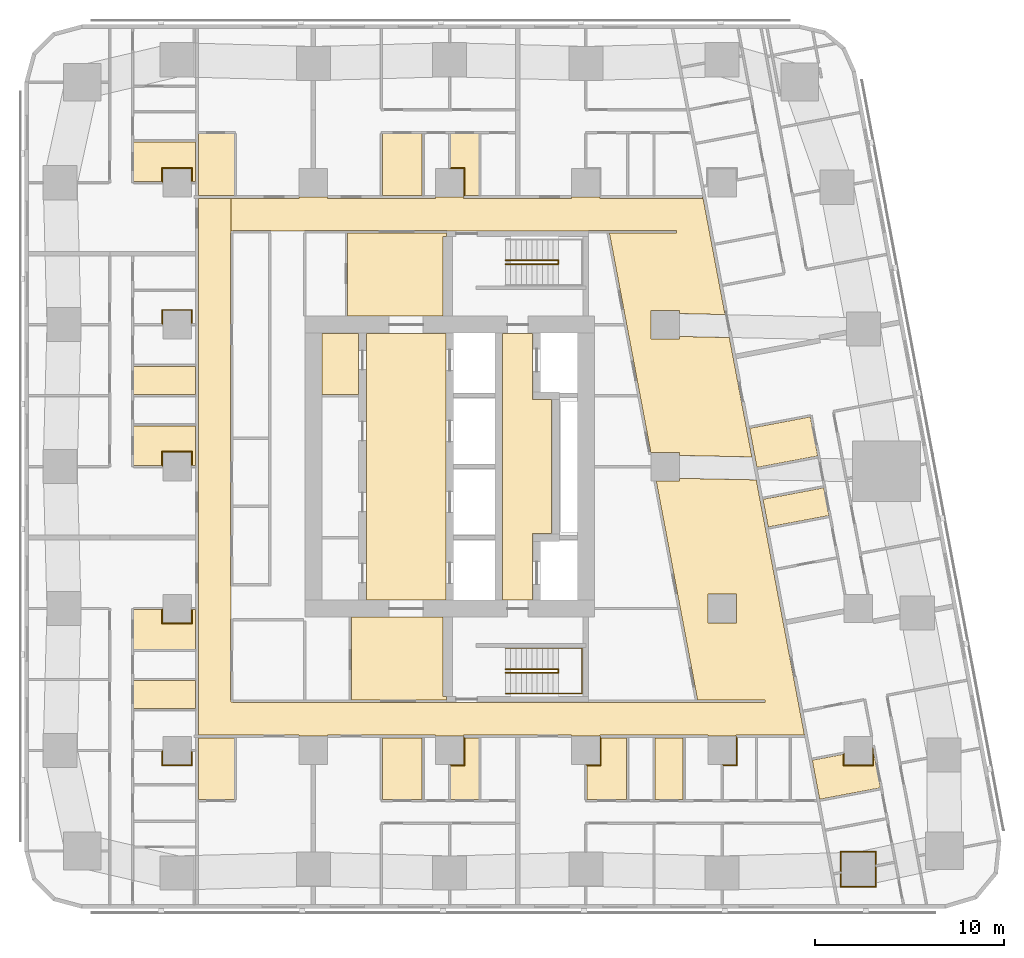
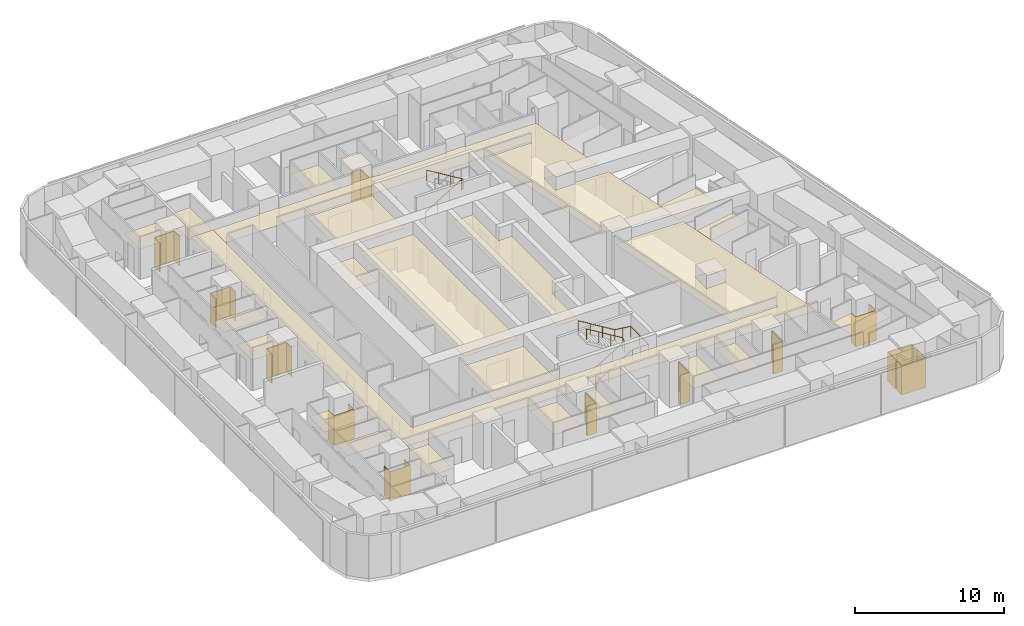
# One storey, part 14 of 15: 35 coverings, 3 railings.
"""IFC4 building model written with IfcOpenShell, lengths in metres."""

from ifc_helpers import new_model, si_unit, direction, frame, origin, origin_2d, place, context, subcontext, project, spatial, polyline, circle, outline, extrude, material, layer, layer_set, type_object, element, save


model = new_model("IFC4")

# Units and contexts
model_context = context("Model", 3, precision=1e-05, world=origin(), true_north=direction((0.0, 1.0)))
body_context = subcontext(model_context, "Body", "Model", "MODEL_VIEW")
ifc_project = project(units=[si_unit("LENGTHUNIT", "METRE"), si_unit("AREAUNIT", "SQUARE_METRE"), si_unit("VOLUMEUNIT", "CUBIC_METRE"), si_unit("PLANEANGLEUNIT", "RADIAN"), si_unit("MASSUNIT", "GRAM", prefix="KILO")], contexts=[model_context])

# Site, building, storey
site_placement = place(None, origin())
site = spatial("IfcSite", under=ifc_project, at=site_placement, CompositionType="ELEMENT")
building_placement = place(site_placement, origin())
building = spatial("IfcBuilding", under=site, at=building_placement, Name="Sheger Commons Tower", CompositionType="ELEMENT")
storey_placement = place(building_placement, frame((0.0, 0.0, 147.050048828125)))
storey = spatial("IfcBuildingStorey", under=building, at=storey_placement, Name="L37", CompositionType="ELEMENT", Elevation=147.050048828125)

# Railings
ifc_material_1 = material(Name="Steel handrail, black powder-coated", Category="steel")
railing_type = type_object("IfcRailingType", Name="HANDRAIL 900", PredefinedType="HANDRAIL", material=ifc_material_1)
railing_1_placement = place(storey_placement, frame((24.550048828125, 11.60009765625, 0.17041015625)))
element("IfcRailing", 1, at=railing_1_placement, inside=storey, type_object=railing_type, Name="Stair S1 handrail L37", PredefinedType="HANDRAIL", context=body_context, shape_type="SweptSolid", body=[
    extrude(circle(Radius=0.02392578125, at=origin_2d()), frame((0.0, 0.0, 0.8759765625), z_axis=(0.854169791009, 0.0, 0.51999420009), x_axis=(0.0, 1.0, 0.0)), (0.0, 0.0, 1.0), 3.278076171875),
    extrude(circle(Radius=0.02392578125, at=origin_2d()), frame((2.800048828125, 0.0, 2.58056640625), z_axis=(0.0, 0.761090297175, 0.648645943136), x_axis=(-1.0, 0.0, 0.0)), (0.0, 0.0, 1.0), 0.2626953125),
    extrude(circle(Radius=0.02392578125, at=origin_2d()), frame((2.800048828125, 0.199951171875, 2.7509765625), z_axis=(-0.854169791009, 0.0, 0.51999420009), x_axis=(0.0, -1.0, 0.0)), (0.0, 0.0, 1.0), 3.278076171875),
    extrude(circle(Radius=0.02099609375, at=origin_2d()), origin(), (0.0, 0.0, 1.0), 0.851806640625),
    extrude(circle(Radius=0.02099609375, at=origin_2d()), frame((0.933349609375, 0.0, 0.568115234375)), (0.0, 0.0, 1.0), 0.851806640625),
    extrude(circle(Radius=0.02099609375, at=origin_2d()), frame((1.86669921875, 0.0, 1.136474609375)), (0.0, 0.0, 1.0), 0.851806640625),
    extrude(circle(Radius=0.02099609375, at=origin_2d()), frame((2.800048828125, 0.0, 1.70458984375)), (0.0, 0.0, 1.0), 0.851806640625),
    extrude(circle(Radius=0.02099609375, at=origin_2d()), frame((2.800048828125, 0.199951171875, 1.875)), (0.0, 0.0, 1.0), 0.851806640625),
    extrude(circle(Radius=0.02099609375, at=origin_2d()), frame((1.86669921875, 0.199951171875, 2.443115234375)), (0.0, 0.0, 1.0), 0.851806640625),
    extrude(circle(Radius=0.02099609375, at=origin_2d()), frame((0.933349609375, 0.199951171875, 3.011474609375)), (0.0, 0.0, 1.0), 0.851806640625),
    extrude(circle(Radius=0.02099609375, at=origin_2d()), frame((0.0, 0.199951171875, 3.57958984375)), (0.0, 0.0, 1.0), 0.851806640625),
])
railing_2_placement = place(storey_placement, frame((24.550048828125, 10.5, 0.17041015625)))
element("IfcRailing", 2, at=railing_2_placement, inside=storey, type_object=railing_type, Name="Stair S1 handrail L37", PredefinedType="HANDRAIL", context=body_context, shape_type="SweptSolid", body=[
    extrude(circle(Radius=0.02392578125, at=origin_2d()), frame((0.0, 0.0, 0.8759765625), z_axis=(0.854169791009, 0.0, 0.51999420009), x_axis=(0.0, 1.0, 0.0)), (0.0, 0.0, 1.0), 3.278076171875),
    extrude(circle(Radius=0.02392578125, at=origin_2d()), frame((2.800048828125, 0.0, 2.58056640625), z_axis=(1.0, 0.0, 0.0), x_axis=(0.0, 1.0, 0.0)), (0.0, 0.0, 1.0), 1.25),
    extrude(circle(Radius=0.02392578125, at=origin_2d()), frame((4.050048828125, 0.0, 2.58056640625), z_axis=(0.0, 1.0, 0.0), x_axis=(-1.0, 0.0, 0.0)), (0.0, 0.0, 1.0), 2.39990234375),
    extrude(circle(Radius=0.02392578125, at=origin_2d()), frame((4.050048828125, 2.39990234375, 2.58056640625), z_axis=(-0.990834877927, 0.0, 0.135078661092), x_axis=(0.0, -1.0, 0.0)), (0.0, 0.0, 1.0), 1.261474609375),
    extrude(circle(Radius=0.02392578125, at=origin_2d()), frame((2.800048828125, 2.39990234375, 2.7509765625), z_axis=(-0.854169791009, 0.0, 0.51999420009), x_axis=(0.0, -1.0, 0.0)), (0.0, 0.0, 1.0), 3.278076171875),
    extrude(circle(Radius=0.02099609375, at=origin_2d()), origin(), (0.0, 0.0, 1.0), 0.851806640625),
    extrude(circle(Radius=0.02099609375, at=origin_2d()), frame((0.933349609375, 0.0, 0.568115234375)), (0.0, 0.0, 1.0), 0.851806640625),
    extrude(circle(Radius=0.02099609375, at=origin_2d()), frame((1.86669921875, 0.0, 1.136474609375)), (0.0, 0.0, 1.0), 0.851806640625),
    extrude(circle(Radius=0.02099609375, at=origin_2d()), frame((2.800048828125, 0.0, 1.70458984375)), (0.0, 0.0, 1.0), 0.851806640625),
    extrude(circle(Radius=0.02099609375, at=origin_2d()), frame((3.425048828125, 0.0, 1.70458984375)), (0.0, 0.0, 1.0), 0.851806640625),
    extrude(circle(Radius=0.02099609375, at=origin_2d()), frame((4.050048828125, 0.0, 1.70458984375)), (0.0, 0.0, 1.0), 0.851806640625),
    extrude(circle(Radius=0.02099609375, at=origin_2d()), frame((4.050048828125, 1.199951171875, 1.70458984375)), (0.0, 0.0, 1.0), 0.851806640625),
    extrude(circle(Radius=0.02099609375, at=origin_2d()), frame((4.050048828125, 2.39990234375, 1.70458984375)), (0.0, 0.0, 1.0), 0.851806640625),
    extrude(circle(Radius=0.02099609375, at=origin_2d()), frame((3.425048828125, 2.39990234375, 1.789794921875)), (0.0, 0.0, 1.0), 0.851806640625),
    extrude(circle(Radius=0.02099609375, at=origin_2d()), frame((2.800048828125, 2.39990234375, 1.875)), (0.0, 0.0, 1.0), 0.851806640625),
    extrude(circle(Radius=0.02099609375, at=origin_2d()), frame((1.86669921875, 2.39990234375, 2.443115234375)), (0.0, 0.0, 1.0), 0.851806640625),
    extrude(circle(Radius=0.02099609375, at=origin_2d()), frame((0.933349609375, 2.39990234375, 3.011474609375)), (0.0, 0.0, 1.0), 0.851806640625),
    extrude(circle(Radius=0.02099609375, at=origin_2d()), frame((0.0, 2.39990234375, 3.57958984375)), (0.0, 0.0, 1.0), 0.851806640625),
])
railing_3_placement = place(storey_placement, frame((24.550048828125, 33.39990234375, 0.17041015625)))
element("IfcRailing", 3, at=railing_3_placement, inside=storey, type_object=railing_type, Name="Stair S2 handrail L37", PredefinedType="HANDRAIL", context=body_context, shape_type="SweptSolid", body=[
    extrude(circle(Radius=0.02392578125, at=origin_2d()), frame((0.0, 0.0, 0.8759765625), z_axis=(0.854169791009, 0.0, 0.51999420009), x_axis=(0.0, 1.0, 0.0)), (0.0, 0.0, 1.0), 3.278076171875),
    extrude(circle(Radius=0.02392578125, at=origin_2d()), frame((2.800048828125, 0.0, 2.58056640625), z_axis=(0.0, -0.761090297175, 0.648645943136), x_axis=(1.0, 0.0, 0.0)), (0.0, 0.0, 1.0), 0.2626953125),
    extrude(circle(Radius=0.02392578125, at=origin_2d()), frame((2.800048828125, -0.199951171875, 2.7509765625), z_axis=(-0.854169791009, 0.0, 0.51999420009), x_axis=(0.0, -1.0, 0.0)), (0.0, 0.0, 1.0), 3.278076171875),
    extrude(circle(Radius=0.02099609375, at=origin_2d()), origin(), (0.0, 0.0, 1.0), 0.851806640625),
    extrude(circle(Radius=0.02099609375, at=origin_2d()), frame((0.933349609375, 0.0, 0.568115234375)), (0.0, 0.0, 1.0), 0.851806640625),
    extrude(circle(Radius=0.02099609375, at=origin_2d()), frame((1.86669921875, 0.0, 1.136474609375)), (0.0, 0.0, 1.0), 0.851806640625),
    extrude(circle(Radius=0.02099609375, at=origin_2d()), frame((2.800048828125, 0.0, 1.70458984375)), (0.0, 0.0, 1.0), 0.851806640625),
    extrude(circle(Radius=0.02099609375, at=origin_2d()), frame((2.800048828125, -0.199951171875, 1.875)), (0.0, 0.0, 1.0), 0.851806640625),
    extrude(circle(Radius=0.02099609375, at=origin_2d()), frame((1.86669921875, -0.199951171875, 2.443115234375)), (0.0, 0.0, 1.0), 0.851806640625),
    extrude(circle(Radius=0.02099609375, at=origin_2d()), frame((0.933349609375, -0.199951171875, 3.011474609375)), (0.0, 0.0, 1.0), 0.851806640625),
    extrude(circle(Radius=0.02099609375, at=origin_2d()), frame((0.0, -0.199951171875, 3.57958984375)), (0.0, 0.0, 1.0), 0.851806640625),
])

# Coverings
ifc_material_2 = material(Name="Moisture-resistant gypsum plasterboard 15 mm on a suspended galvanised steel grid", Category="steel")
ifc_layer_1 = layer(ifc_material_2, 0.014892578125)
ifc_layer_set_1 = layer_set([ifc_layer_1], Name="MOISTURE-RESISTANT CEILING 15")
covering_type_1 = type_object("IfcCoveringType", Name="MOISTURE-RESISTANT CEILING 15", PredefinedType="CEILING", material=ifc_layer_set_1)
covering_1_placement = place(storey_placement, frame((0.0, 0.0, 2.39990234375)))
element("IfcCovering", 4, at=covering_1_placement, inside=storey, type_object=covering_type_1, Name="L37-01.B1 ceiling", PredefinedType="CEILING", context=body_context, shape_type="SweptSolid", body=[
    extrude(outline(polyline([(4.905029296875, 12.844970703125), (8.169921875, 12.844970703125), (8.169921875, 14.945068359375), (7.955078125, 14.945068359375), (7.955078125, 14.2451171875), (6.445068359375, 14.2451171875), (6.445068359375, 14.945068359375), (4.905029296875, 14.945068359375), (4.905029296875, 12.844970703125)])), origin(), (0.0, 0.0, 1.0), 0.01513671875),
])
covering_2_placement = place(storey_placement, frame((0.0, 0.0, 2.39990234375)))
element("IfcCovering", 5, at=covering_2_placement, inside=storey, type_object=covering_type_1, Name="L37-01.B2 ceiling", PredefinedType="CEILING", context=body_context, shape_type="SweptSolid", body=[
    extrude(outline(polyline([(4.905029296875, 9.705078125), (8.169921875, 9.705078125), (8.169921875, 11.195068359375), (4.905029296875, 11.195068359375), (4.905029296875, 9.705078125)])), origin(), (0.0, 0.0, 1.0), 0.01513671875),
])
covering_3_placement = place(storey_placement, frame((0.0, 0.0, 2.39990234375)))
element("IfcCovering", 6, at=covering_3_placement, inside=storey, type_object=covering_type_1, Name="L37-02.B1 ceiling", PredefinedType="CEILING", context=body_context, shape_type="SweptSolid", body=[
    extrude(outline(polyline([(4.905029296875, 22.554931640625), (6.445068359375, 22.554931640625), (6.445068359375, 23.2548828125), (7.955078125, 23.2548828125), (7.955078125, 22.554931640625), (8.169921875, 22.554931640625), (8.169921875, 24.655029296875), (4.905029296875, 24.655029296875), (4.905029296875, 22.554931640625)])), origin(), (0.0, 0.0, 1.0), 0.01513671875),
])
covering_4_placement = place(storey_placement, frame((0.0, 0.0, 2.39990234375)))
element("IfcCovering", 7, at=covering_4_placement, inside=storey, type_object=covering_type_1, Name="L37-02.B2 ceiling", PredefinedType="CEILING", context=body_context, shape_type="SweptSolid", body=[
    extrude(outline(polyline([(4.905029296875, 26.304931640625), (8.169921875, 26.304931640625), (8.169921875, 27.794921875), (4.905029296875, 27.794921875), (4.905029296875, 26.304931640625)])), origin(), (0.0, 0.0, 1.0), 0.01513671875),
])
covering_5_placement = place(storey_placement, frame((0.0, 0.0, 2.39990234375)))
element("IfcCovering", 8, at=covering_5_placement, inside=storey, type_object=covering_type_1, Name="L37-03.B1 ceiling", PredefinedType="CEILING", context=body_context, shape_type="SweptSolid", body=[
    extrude(outline(polyline([(4.905029296875, 37.554931640625), (6.445068359375, 37.554931640625), (6.445068359375, 38.2548828125), (7.955078125, 38.2548828125), (7.955078125, 37.554931640625), (8.169921875, 37.554931640625), (8.169921875, 39.655029296875), (4.905029296875, 39.655029296875), (4.905029296875, 37.554931640625)])), origin(), (0.0, 0.0, 1.0), 0.01513671875),
])
covering_6_placement = place(storey_placement, frame((0.0, 0.0, 2.39990234375)))
element("IfcCovering", 9, at=covering_6_placement, inside=storey, type_object=covering_type_1, Name="L37-04.B1 ceiling", PredefinedType="CEILING", context=body_context, shape_type="SweptSolid", body=[
    extrude(outline(polyline([(8.330078125, 4.905029296875), (10.22412109375, 4.905029296875), (10.22412109375, 8.169921875), (8.330078125, 8.169921875), (8.330078125, 4.905029296875)])), origin(), (0.0, 0.0, 1.0), 0.01513671875),
])
covering_7_placement = place(storey_placement, frame((0.0, 0.0, 2.39990234375)))
element("IfcCovering", 10, at=covering_7_placement, inside=storey, type_object=covering_type_1, Name="L37-05.B1 ceiling", PredefinedType="CEILING", context=body_context, shape_type="SweptSolid", body=[
    extrude(outline(polyline([(18.054931640625, 4.905029296875), (20.155029296875, 4.905029296875), (20.155029296875, 8.169921875), (18.054931640625, 8.169921875), (18.054931640625, 4.905029296875)])), origin(), (0.0, 0.0, 1.0), 0.01513671875),
])
covering_8_placement = place(storey_placement, frame((0.0, 0.0, 2.39990234375)))
element("IfcCovering", 11, at=covering_8_placement, inside=storey, type_object=covering_type_1, Name="L37-05.B2 ceiling", PredefinedType="CEILING", context=body_context, shape_type="SweptSolid", body=[
    extrude(outline(polyline([(21.655029296875, 4.905029296875), (23.14501953125, 4.905029296875), (23.14501953125, 8.169921875), (22.35498046875, 8.169921875), (22.35498046875, 6.7451171875), (21.655029296875, 6.7451171875), (21.655029296875, 4.905029296875)])), origin(), (0.0, 0.0, 1.0), 0.01513671875),
])
covering_9_placement = place(storey_placement, frame((0.0, 0.0, 2.39990234375)))
element("IfcCovering", 12, at=covering_9_placement, inside=storey, type_object=covering_type_1, Name="L37-06.B1 ceiling", PredefinedType="CEILING", context=body_context, shape_type="SweptSolid", body=[
    extrude(outline(polyline([(28.85498046875, 4.905029296875), (30.955078125, 4.905029296875), (30.955078125, 8.169921875), (29.554931640625, 8.169921875), (29.554931640625, 6.7451171875), (28.85498046875, 6.7451171875), (28.85498046875, 4.905029296875)])), origin(), (0.0, 0.0, 1.0), 0.01513671875),
])
covering_10_placement = place(storey_placement, frame((0.0, 0.0, 2.39990234375)))
element("IfcCovering", 13, at=covering_10_placement, inside=storey, type_object=covering_type_1, Name="L37-06.B2 ceiling", PredefinedType="CEILING", context=body_context, shape_type="SweptSolid", body=[
    extrude(outline(polyline([(32.455078125, 4.905029296875), (33.945068359375, 4.905029296875), (33.945068359375, 8.169921875), (32.455078125, 8.169921875), (32.455078125, 4.905029296875)])), origin(), (0.0, 0.0, 1.0), 0.01513671875),
])
covering_11_placement = place(storey_placement, frame((0.0, 0.0, 2.39990234375)))
element("IfcCovering", 14, at=covering_11_placement, inside=storey, type_object=covering_type_1, Name="L37-08.B1 ceiling", PredefinedType="CEILING", context=body_context, shape_type="SweptSolid", body=[
    extrude(outline(polyline([(37.843994140625, 22.4580078125), (41.052001953125, 23.06396484375), (40.662109375, 25.1279296875), (37.4541015625, 24.52197265625), (37.843994140625, 22.4580078125)])), origin(), (0.0, 0.0, 1.0), 0.01513671875),
])
covering_12_placement = place(storey_placement, frame((0.0, 0.0, 2.39990234375)))
element("IfcCovering", 15, at=covering_12_placement, inside=storey, type_object=covering_type_1, Name="L37-08.B2 ceiling", PredefinedType="CEILING", context=body_context, shape_type="SweptSolid", body=[
    extrude(outline(polyline([(38.43896484375, 19.30810546875), (41.64697265625, 19.9140625), (41.3701171875, 21.3779296875), (38.162109375, 20.77197265625), (38.43896484375, 19.30810546875)])), origin(), (0.0, 0.0, 1.0), 0.01513671875),
])
covering_13_placement = place(storey_placement, frame((0.0, 0.0, 2.39990234375)))
element("IfcCovering", 16, at=covering_13_placement, inside=storey, type_object=covering_type_1, Name="L37-09.B1 ceiling", PredefinedType="CEILING", context=body_context, shape_type="SweptSolid", body=[
    extrude(outline(polyline([(41.156005859375, 4.9208984375), (44.364013671875, 5.527099609375), (43.964111328125, 7.64501953125), (43.955078125, 7.64306640625), (43.955078125, 6.7451171875), (42.445068359375, 6.7451171875), (42.445068359375, 7.302001953125), (40.76611328125, 6.985107421875), (41.156005859375, 4.9208984375)])), origin(), (0.0, 0.0, 1.0), 0.01513671875),
])
covering_14_placement = place(storey_placement, frame((0.0, 0.0, 2.39990234375)))
element("IfcCovering", 17, at=covering_14_placement, inside=storey, type_object=covering_type_1, Name="L37-10.B1 ceiling", PredefinedType="CEILING", context=body_context, shape_type="SweptSolid", body=[
    extrude(outline(polyline([(8.330078125, 36.830078125), (10.22412109375, 36.830078125), (10.22412109375, 40.094970703125), (8.330078125, 40.094970703125), (8.330078125, 36.830078125)])), origin(), (0.0, 0.0, 1.0), 0.01513671875),
])
covering_15_placement = place(storey_placement, frame((0.0, 0.0, 2.39990234375)))
element("IfcCovering", 18, at=covering_15_placement, inside=storey, type_object=covering_type_1, Name="L37-11.B1 ceiling", PredefinedType="CEILING", context=body_context, shape_type="SweptSolid", body=[
    extrude(outline(polyline([(18.054931640625, 36.830078125), (20.155029296875, 36.830078125), (20.155029296875, 40.094970703125), (18.054931640625, 40.094970703125), (18.054931640625, 36.830078125)])), origin(), (0.0, 0.0, 1.0), 0.01513671875),
])
covering_16_placement = place(storey_placement, frame((0.0, 0.0, 2.39990234375)))
element("IfcCovering", 19, at=covering_16_placement, inside=storey, type_object=covering_type_1, Name="L37-11.B2 ceiling", PredefinedType="CEILING", context=body_context, shape_type="SweptSolid", body=[
    extrude(outline(polyline([(22.35498046875, 36.830078125), (23.14501953125, 36.830078125), (23.14501953125, 40.094970703125), (21.655029296875, 40.094970703125), (21.655029296875, 38.2548828125), (22.35498046875, 38.2548828125), (22.35498046875, 36.830078125)])), origin(), (0.0, 0.0, 1.0), 0.01513671875),
])
covering_17_placement = place(storey_placement, frame((0.0, 0.0, 2.39990234375)))
element("IfcCovering", 20, at=covering_17_placement, inside=storey, type_object=covering_type_1, Name="L37-CRB3 ceiling", PredefinedType="CEILING", context=body_context, shape_type="SweptSolid", body=[
    extrude(outline(polyline([(14.85498046875, 26.31689453125), (16.794921875, 26.31689453125), (16.794921875, 29.544921875), (14.85498046875, 29.544921875), (14.85498046875, 26.31689453125)])), origin(), (0.0, 0.0, 1.0), 0.01513671875),
])
ifc_material_3 = material(Name="Gypsum plasterboard 15 mm on a suspended steel grid", Category="steel")
ifc_layer_2 = layer(ifc_material_3, 0.014892578125)
ifc_layer_set_2 = layer_set([ifc_layer_2], Name="SUSPENDED CEILING 15")
covering_type_2 = type_object("IfcCoveringType", Name="SUSPENDED CEILING 15", PredefinedType="CEILING", material=ifc_layer_set_2)
covering_18_placement = place(storey_placement, frame((0.0, 0.0, 2.699951171875)))
element("IfcCovering", 21, at=covering_18_placement, inside=storey, type_object=covering_type_2, Name="L37-CO ceiling", PredefinedType="CEILING", context=body_context, shape_type="SweptSolid", body=[
    extrude(outline(polyline([(13.654052734375, 8.2548828125), (15.14599609375, 8.2548828125), (15.14599609375, 8.330078125), (20.85400390625, 8.330078125), (20.85400390625, 8.2548828125), (22.345947265625, 8.2548828125), (22.345947265625, 8.330078125), (28.053955078125, 8.330078125), (28.053955078125, 8.2548828125), (29.5458984375, 8.2548828125), (29.5458984375, 8.330078125), (35.25390625, 8.330078125), (35.25390625, 8.2548828125), (36.74609375, 8.2548828125), (36.74609375, 8.330078125), (40.35009765625, 8.330078125), (37.805908203125, 21.798095703125), (33.7548828125, 21.8798828125), (33.7548828125, 21.7451171875), (32.52099609375, 21.7451171875), (34.705078125, 10.181884765625), (34.66796875, 10.175048828125), (34.669921875, 10.16796875), (38.27001953125, 10.16796875), (38.27001953125, 10.031982421875), (28.945068359375, 10.031982421875), (28.945068359375, 10.044921875), (21.455078125, 10.044921875), (21.455078125, 10.031982421875), (10.156982421875, 10.031982421875), (10.156982421875, 10.050048828125), (10.050048828125, 10.050048828125), (10.050048828125, 10.156982421875), (10.031982421875, 10.156982421875), (10.031982421875, 14.455078125), (10.050048828125, 14.455078125), (10.050048828125, 16.195068359375), (10.031982421875, 16.195068359375), (10.031982421875, 34.843017578125), (10.050048828125, 34.843017578125), (10.050048828125, 34.947998046875), (10.048095703125, 34.947998046875), (10.048095703125, 36.669921875), (8.330078125, 36.669921875), (8.330078125, 8.330078125), (13.654052734375, 8.330078125), (13.654052734375, 8.2548828125)]), holes=[polyline([(36.7548828125, 15.7548828125), (36.7548828125, 14.2451171875), (35.2451171875, 14.2451171875), (35.2451171875, 15.7548828125), (36.7548828125, 15.7548828125)])]), origin(), (0.0, 0.0, 1.0), 0.014892578125),
])
covering_19_placement = place(storey_placement, frame((0.0, 0.0, 2.699951171875)))
element("IfcCovering", 22, at=covering_19_placement, inside=storey, type_object=covering_type_2, Name="L37-CO ceiling", PredefinedType="CEILING", context=body_context, shape_type="SweptSolid", body=[
    extrude(outline(polyline([(37.575927734375, 23.011962890625), (36.385009765625, 29.318115234375), (33.7548828125, 29.3779296875), (33.7548828125, 29.2451171875), (32.2451171875, 29.2451171875), (32.2451171875, 30.7548828125), (33.7548828125, 30.7548828125), (33.7548828125, 30.587890625), (36.156005859375, 30.533935546875), (34.98193359375, 36.75), (34.97802734375, 36.75), (34.97802734375, 36.669921875), (33.572998046875, 36.669921875), (33.568115234375, 34.969970703125), (33.568115234375, 36.669921875), (29.5458984375, 36.669921875), (29.5458984375, 36.7451171875), (28.053955078125, 36.7451171875), (28.053955078125, 36.669921875), (22.345947265625, 36.669921875), (22.345947265625, 36.7451171875), (20.85400390625, 36.7451171875), (20.85400390625, 36.669921875), (15.14599609375, 36.669921875), (15.14599609375, 36.7451171875), (13.654052734375, 36.7451171875), (13.654052734375, 36.669921875), (10.052978515625, 36.669921875), (10.052978515625, 34.949951171875), (10.156982421875, 34.949951171875), (10.156982421875, 34.968017578125), (12.155029296875, 34.968017578125), (12.155029296875, 34.949951171875), (13.945068359375, 34.949951171875), (13.945068359375, 34.968017578125), (21.455078125, 34.968017578125), (21.455078125, 34.949951171875), (28.945068359375, 34.949951171875), (28.945068359375, 34.968017578125), (33.568115234375, 34.968017578125), (33.5849609375, 34.968017578125), (33.5849609375, 34.83203125), (30.048095703125, 34.83203125), (32.242919921875, 23.214111328125), (32.2451171875, 23.214111328125), (32.2451171875, 23.2548828125), (33.7548828125, 23.2548828125), (33.7548828125, 23.090087890625), (37.575927734375, 23.011962890625)])), origin(), (0.0, 0.0, 1.0), 0.014892578125),
])
covering_20_placement = place(storey_placement, frame((0.0, 0.0, 2.699951171875)))
element("IfcCovering", 23, at=covering_20_placement, inside=storey, type_object=covering_type_2, Name="L37-SVS1 ceiling", PredefinedType="CEILING", context=body_context, shape_type="SweptSolid", body=[
    extrude(outline(polyline([(16.406982421875, 10.16796875), (21.445068359375, 10.16796875), (21.445068359375, 10.344970703125), (21.2451171875, 10.344970703125), (21.2451171875, 14.544921875), (16.406982421875, 14.544921875), (16.406982421875, 10.16796875)])), origin(), (0.0, 0.0, 1.0), 0.014892578125),
])
covering_21_placement = place(storey_placement, frame((0.0, 0.0, 2.699951171875)))
element("IfcCovering", 24, at=covering_21_placement, inside=storey, type_object=covering_type_2, Name="L37-SVN1 ceiling", PredefinedType="CEILING", context=body_context, shape_type="SweptSolid", body=[
    extrude(outline(polyline([(16.217041015625, 30.455078125), (21.2451171875, 30.455078125), (21.2451171875, 34.655029296875), (21.445068359375, 34.655029296875), (21.445068359375, 34.83203125), (16.217041015625, 34.83203125), (16.217041015625, 30.455078125)])), origin(), (0.0, 0.0, 1.0), 0.014892578125),
])
covering_22_placement = place(storey_placement, frame((0.0, 0.0, 2.699951171875)))
element("IfcCovering", 25, at=covering_22_placement, inside=storey, type_object=covering_type_2, Name="L37-LL ceiling", PredefinedType="CEILING", context=body_context, shape_type="SweptSolid", body=[
    extrude(outline(polyline([(17.205078125, 15.455078125), (21.39990234375, 15.455078125), (21.39990234375, 29.544921875), (17.205078125, 29.544921875), (17.205078125, 15.455078125)])), origin(), (0.0, 0.0, 1.0), 0.014892578125),
])
covering_23_placement = place(storey_placement, frame((0.0, 0.0, 2.699951171875)))
element("IfcCovering", 26, at=covering_23_placement, inside=storey, type_object=covering_type_2, Name="L37-FL ceiling", PredefinedType="CEILING", context=body_context, shape_type="SweptSolid", body=[
    extrude(outline(polyline([(24.405029296875, 15.455078125), (25.9951171875, 15.455078125), (25.9951171875, 18.955078125), (26.9951171875, 18.955078125), (26.9951171875, 26.044921875), (25.9951171875, 26.044921875), (25.9951171875, 29.544921875), (24.405029296875, 29.544921875), (24.405029296875, 15.455078125)])), origin(), (0.0, 0.0, 1.0), 0.014892578125),
])
ifc_material_4 = material(Name="Moisture-resistant gypsum board 12.5 mm on 25 mm treated timber battens, tanked and tiled", Category="wood")
ifc_layer_3 = layer(ifc_material_4, 0.050048828125)
ifc_layer_set_3 = layer_set([ifc_layer_3], Name="WET-ROOM COLUMN LINING")
covering_type_3 = type_object("IfcCoveringType", Name="WET-ROOM COLUMN LINING", PredefinedType="CLADDING", material=ifc_layer_set_3)
covering_24_placement = place(storey_placement, origin())
element("IfcCovering", 27, at=covering_24_placement, inside=storey, type_object=covering_type_3, Name="Laundry room column lining C8 L37", PredefinedType="CLADDING", context=body_context, shape_type="SweptSolid", body=[
    extrude(outline(polyline([(44.14990234375, 2.175048828125), (44.14990234375, 1.455078125), (44.10107421875, 1.446044921875), (44.110107421875, 1.39697265625), (44.10009765625, 1.39501953125), (44.10009765625, 2.125), (42.300048828125, 2.125), (42.300048828125, 1.054931640625), (42.2900390625, 1.052978515625), (42.281005859375, 1.10205078125), (42.25, 1.095947265625), (42.25, 2.175048828125), (44.14990234375, 2.175048828125)])), origin(), (0.0, 0.0, 1.0), 2.39990234375),
])
covering_25_placement = place(storey_placement, origin())
element("IfcCovering", 28, at=covering_25_placement, inside=storey, type_object=covering_type_3, Name="Laundry room column lining C8 L37", PredefinedType="CLADDING", context=body_context, shape_type="SweptSolid", body=[
    extrude(outline(polyline([(42.300048828125, 1.054931640625), (42.300048828125, 0.324951171875), (44.10009765625, 0.324951171875), (44.10009765625, 1.39501953125), (44.110107421875, 1.39697265625), (44.118896484375, 1.347900390625), (44.14990234375, 1.35400390625), (44.14990234375, 0.27490234375), (42.25, 0.27490234375), (42.25, 0.9951171875), (42.299072265625, 1.00390625), (42.2900390625, 1.052978515625), (42.300048828125, 1.054931640625)])), origin(), (0.0, 0.0, 1.0), 2.39990234375),
])
covering_26_placement = place(storey_placement, origin())
element("IfcCovering", 29, at=covering_26_placement, inside=storey, type_object=covering_type_3, Name="Laundry room column lining C10 L37", PredefinedType="CLADDING", context=body_context, shape_type="SweptSolid", body=[
    extrude(outline(polyline([(6.449951171875, 7.5), (6.449951171875, 6.75), (7.949951171875, 6.75), (7.949951171875, 7.5), (7.950927734375, 7.5), (7.950927734375, 7.449951171875), (8.0, 7.449951171875), (8.0, 6.699951171875), (6.39990234375, 6.699951171875), (6.39990234375, 7.449951171875), (6.448974609375, 7.449951171875), (6.448974609375, 7.5), (6.449951171875, 7.5)])), origin(), (0.0, 0.0, 1.0), 2.39990234375),
])
covering_27_placement = place(storey_placement, origin())
element("IfcCovering", 30, at=covering_27_placement, inside=storey, type_object=covering_type_3, Name="Shower room column lining C10 L37", PredefinedType="CLADDING", context=body_context, shape_type="SweptSolid", body=[
    extrude(outline(polyline([(21.64990234375, 6.699951171875), (21.64990234375, 6.7490234375), (21.60009765625, 6.7490234375), (21.60009765625, 6.75), (22.35009765625, 6.75), (22.35009765625, 8.25), (22.35107421875, 8.25), (22.35107421875, 8.175048828125), (22.39990234375, 8.175048828125), (22.39990234375, 6.699951171875), (21.64990234375, 6.699951171875)])), origin(), (0.0, 0.0, 1.0), 2.39990234375),
])
covering_28_placement = place(storey_placement, origin())
element("IfcCovering", 31, at=covering_28_placement, inside=storey, type_object=covering_type_3, Name="Bathroom column lining C10 L37", PredefinedType="CLADDING", context=body_context, shape_type="SweptSolid", body=[
    extrude(outline(polyline([(28.85009765625, 6.699951171875), (28.85009765625, 6.7490234375), (28.800048828125, 6.7490234375), (28.800048828125, 6.75), (29.550048828125, 6.75), (29.550048828125, 8.25), (29.551025390625, 8.25), (29.551025390625, 8.175048828125), (29.60009765625, 8.175048828125), (29.60009765625, 6.699951171875), (28.85009765625, 6.699951171875)])), origin(), (0.0, 0.0, 1.0), 2.39990234375),
])
covering_29_placement = place(storey_placement, origin())
element("IfcCovering", 32, at=covering_29_placement, inside=storey, type_object=covering_type_3, Name="Laundry room column lining C10 L37", PredefinedType="CLADDING", context=body_context, shape_type="SweptSolid", body=[
    extrude(outline(polyline([(36.050048828125, 6.699951171875), (36.050048828125, 6.7490234375), (36.0, 6.7490234375), (36.0, 6.75), (36.75, 6.75), (36.75, 8.25), (36.7509765625, 8.25), (36.7509765625, 8.175048828125), (36.800048828125, 8.175048828125), (36.800048828125, 6.699951171875), (36.050048828125, 6.699951171875)])), origin(), (0.0, 0.0, 1.0), 2.39990234375),
])
covering_30_placement = place(storey_placement, origin())
element("IfcCovering", 33, at=covering_30_placement, inside=storey, type_object=covering_type_3, Name="Bathroom column lining C10 L37", PredefinedType="CLADDING", context=body_context, shape_type="SweptSolid", body=[
    extrude(outline(polyline([(42.449951171875, 7.35888671875), (42.449951171875, 6.75), (43.949951171875, 6.75), (43.949951171875, 7.64208984375), (43.968994140625, 7.64599609375), (44.0, 7.47998046875), (44.0, 6.699951171875), (42.39990234375, 6.699951171875), (42.39990234375, 7.299072265625), (42.448974609375, 7.30810546875), (42.43994140625, 7.35693359375), (42.449951171875, 7.35888671875)])), origin(), (0.0, 0.0, 1.0), 2.39990234375),
])
covering_31_placement = place(storey_placement, origin())
element("IfcCovering", 34, at=covering_31_placement, inside=storey, type_object=covering_type_3, Name="Bathroom column lining C10 L37", PredefinedType="CLADDING", context=body_context, shape_type="SweptSolid", body=[
    extrude(outline(polyline([(6.449951171875, 15.0), (6.449951171875, 14.25), (7.949951171875, 14.25), (7.949951171875, 15.0), (7.950927734375, 15.0), (7.950927734375, 14.949951171875), (8.0, 14.949951171875), (8.0, 14.199951171875), (6.39990234375, 14.199951171875), (6.39990234375, 14.949951171875), (6.448974609375, 14.949951171875), (6.448974609375, 15.0), (6.449951171875, 15.0)])), origin(), (0.0, 0.0, 1.0), 2.39990234375),
])
covering_32_placement = place(storey_placement, origin())
element("IfcCovering", 35, at=covering_32_placement, inside=storey, type_object=covering_type_3, Name="Bathroom column lining C10 L37", PredefinedType="CLADDING", context=body_context, shape_type="SweptSolid", body=[
    extrude(outline(polyline([(8.0, 23.300048828125), (8.0, 22.550048828125), (7.950927734375, 22.550048828125), (7.950927734375, 22.5), (7.949951171875, 22.5), (7.949951171875, 23.25), (6.449951171875, 23.25), (6.449951171875, 22.5), (6.448974609375, 22.5), (6.448974609375, 22.550048828125), (6.39990234375, 22.550048828125), (6.39990234375, 23.300048828125), (8.0, 23.300048828125)])), origin(), (0.0, 0.0, 1.0), 2.39990234375),
])
covering_33_placement = place(storey_placement, origin())
element("IfcCovering", 36, at=covering_33_placement, inside=storey, type_object=covering_type_3, Name="Laundry room column lining C10 L37", PredefinedType="CLADDING", context=body_context, shape_type="SweptSolid", body=[
    extrude(outline(polyline([(8.0, 30.800048828125), (8.0, 30.050048828125), (7.950927734375, 30.050048828125), (7.950927734375, 30.0), (7.949951171875, 30.0), (7.949951171875, 30.75), (6.449951171875, 30.75), (6.449951171875, 30.0), (6.448974609375, 30.0), (6.448974609375, 30.050048828125), (6.39990234375, 30.050048828125), (6.39990234375, 30.800048828125), (8.0, 30.800048828125)])), origin(), (0.0, 0.0, 1.0), 2.39990234375),
])
covering_34_placement = place(storey_placement, origin())
element("IfcCovering", 37, at=covering_34_placement, inside=storey, type_object=covering_type_3, Name="Bathroom column lining C10 L37", PredefinedType="CLADDING", context=body_context, shape_type="SweptSolid", body=[
    extrude(outline(polyline([(8.0, 38.300048828125), (8.0, 37.550048828125), (7.950927734375, 37.550048828125), (7.950927734375, 37.5), (7.949951171875, 37.5), (7.949951171875, 38.25), (6.449951171875, 38.25), (6.449951171875, 37.5), (6.448974609375, 37.5), (6.448974609375, 37.550048828125), (6.39990234375, 37.550048828125), (6.39990234375, 38.300048828125), (8.0, 38.300048828125)])), origin(), (0.0, 0.0, 1.0), 2.39990234375),
])
covering_35_placement = place(storey_placement, origin())
element("IfcCovering", 38, at=covering_35_placement, inside=storey, type_object=covering_type_3, Name="Shower room column lining C10 L37", PredefinedType="CLADDING", context=body_context, shape_type="SweptSolid", body=[
    extrude(outline(polyline([(22.39990234375, 36.824951171875), (22.35107421875, 36.824951171875), (22.35107421875, 36.75), (22.35009765625, 36.75), (22.35009765625, 38.25), (21.60009765625, 38.25), (21.60009765625, 38.2509765625), (21.64990234375, 38.2509765625), (21.64990234375, 38.300048828125), (22.39990234375, 38.300048828125), (22.39990234375, 36.824951171875)])), origin(), (0.0, 0.0, 1.0), 2.39990234375),
])

save(model, "model.ifc")
